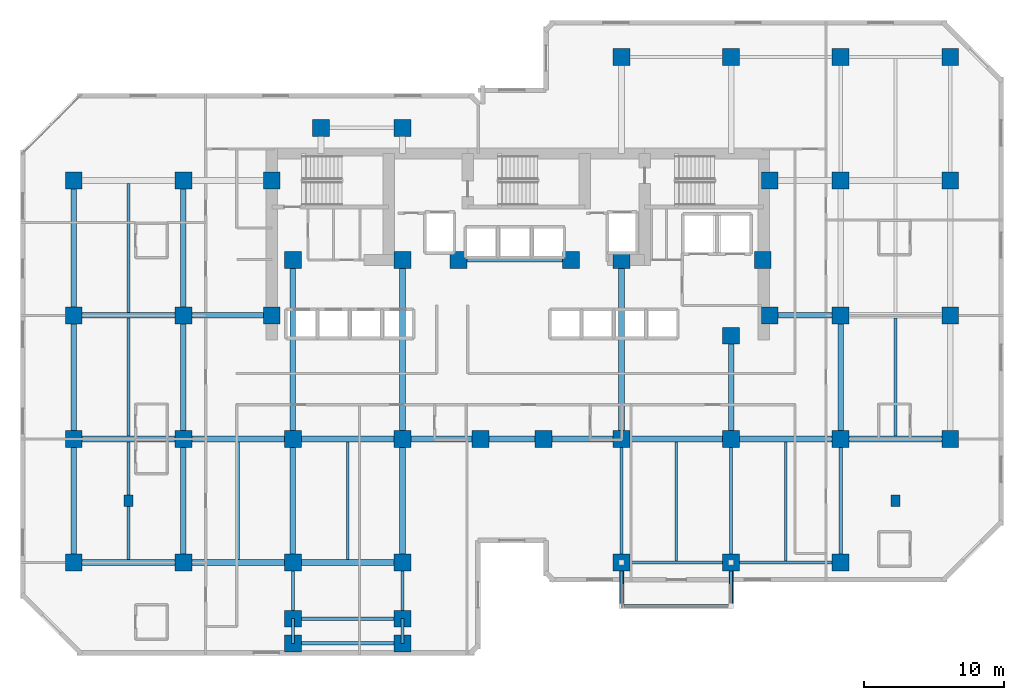
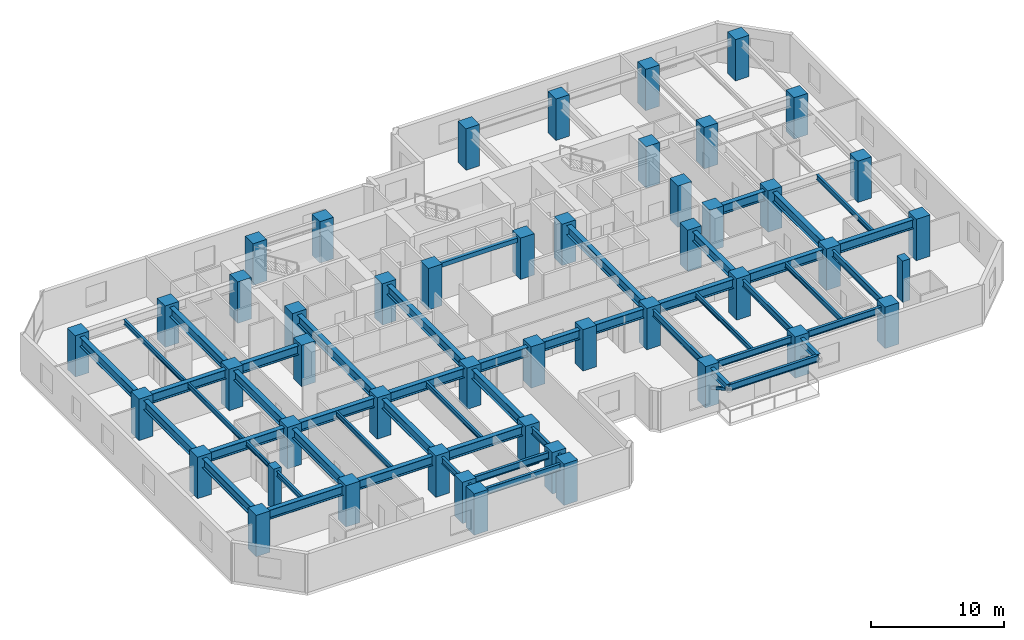
# One storey, part 1 of 11: 51 beams, 48 columns, 2 members.
"""IFC4 building model written with IfcOpenShell, lengths in metres."""

from ifc_helpers import new_model, si_unit, direction, frame, origin, origin_2d, place, context, subcontext, project, spatial, rectangle, hollow_rectangle, i_section, extrude, material, material_profile, profile_set, type_object, element, save


model = new_model("IFC4")

# Units and contexts
model_context = context("Model", 3, precision=1e-05, world=origin(), true_north=direction((0.0, 1.0)))
body_context = subcontext(model_context, "Body", "Model", "MODEL_VIEW")
ifc_project = project(units=[si_unit("LENGTHUNIT", "METRE"), si_unit("AREAUNIT", "SQUARE_METRE"), si_unit("VOLUMEUNIT", "CUBIC_METRE"), si_unit("PLANEANGLEUNIT", "RADIAN"), si_unit("MASSUNIT", "GRAM", prefix="KILO")], contexts=[model_context])

# Site, building, storey
site_placement = place(None, origin())
site = spatial("IfcSite", under=ifc_project, at=site_placement, CompositionType="ELEMENT")
building_placement = place(site_placement, origin())
building = spatial("IfcBuilding", under=site, at=building_placement, Name="Kestravale Grand Hotel", CompositionType="ELEMENT")
storey_placement = place(building_placement, frame((0.0, 0.0, 107.0)))
storey = spatial("IfcBuildingStorey", under=building, at=storey_placement, Name="L26", CompositionType="ELEMENT", Elevation=107.0)

# Columns
ifc_material_1 = material(Name="Precast concrete f'c 45 MPa", Category="concrete")
ifc_material_profile_1 = material_profile(ifc_material_1, rectangle(XDim=0.64990234375, YDim=0.85009765625, at=origin_2d()))
ifc_profile_set_1 = profile_set([ifc_material_profile_1], Name="Precast concrete f'c 45 MPa")
column_type_1 = type_object("IfcColumnType", Name="C-Z1-PIL850", PredefinedType="PILASTER", material=ifc_profile_set_1)
for number, where, z_axis, x_axis, name in (
    (1, (11.699951171875, 15.60009765625, 0.0), (0.0, 0.0, 1.0), (1.0, 0.0, 0.0), "L26 Art Deco fluted pilaster P1"),
    (2, (66.300048828125, 15.60009765625, 0.0), (0.0, 0.0, 1.0), (1.0, 0.0, 0.0), "L26 Art Deco fluted pilaster P2"),
):
    element("IfcColumn", number, at=place(storey_placement, frame(where, z_axis=z_axis, x_axis=x_axis)), inside=storey, type_object=column_type_1, Name=name, PredefinedType="PILASTER", context=body_context, shape_type="SweptSolid", body=[
        extrude(rectangle(XDim=0.64990234375, YDim=0.85009765625, at=origin_2d()), origin(), (0.0, 0.0, 1.0), 3.800048828125),
    ])
ifc_material_2 = material(Name="Concrete f'c 60 MPa", Category="concrete")
ifc_material_profile_2 = material_profile(ifc_material_2, rectangle(XDim=1.199951171875, YDim=1.199951171875, at=origin_2d()))
ifc_profile_set_2 = profile_set([ifc_material_profile_2], Name="Concrete f'c 60 MPa")
column_type_2 = type_object("IfcColumnType", Name="C-Z2-1200", PredefinedType="COLUMN", material=ifc_profile_set_2)
for number, where, z_axis, x_axis, name in (
    (3, (7.800048828125, 11.199951171875, 0.0), (0.0, 0.0, 1.0), (1.0, 0.0, 0.0), "L26 column 2-C"),
    (4, (7.800048828125, 20.0, 0.0), (0.0, 0.0, 1.0), (1.0, 0.0, 0.0), "L26 column 2-D"),
    (5, (7.800048828125, 28.800048828125, 0.0), (0.0, 0.0, 1.0), (1.0, 0.0, 0.0), "L26 column 2-E"),
    (6, (7.800048828125, 38.39990234375, 0.0), (0.0, 0.0, 1.0), (1.0, 0.0, 0.0), "L26 column 2-F"),
    (7, (15.60009765625, 11.199951171875, 0.0), (0.0, 0.0, 1.0), (1.0, 0.0, 0.0), "L26 column 3-C"),
    (8, (15.60009765625, 20.0, 0.0), (0.0, 0.0, 1.0), (1.0, 0.0, 0.0), "L26 column 3-D"),
    (9, (15.60009765625, 28.800048828125, 0.0), (0.0, 0.0, 1.0), (1.0, 0.0, 0.0), "L26 column 3-E"),
    (10, (15.60009765625, 38.39990234375, 0.0), (0.0, 0.0, 1.0), (1.0, 0.0, 0.0), "L26 column 3-F"),
    (11, (23.39990234375, 11.199951171875, 0.0), (0.0, 0.0, 1.0), (1.0, 0.0, 0.0), "L26 column 4-C"),
    (12, (23.39990234375, 20.0, 0.0), (0.0, 0.0, 1.0), (1.0, 0.0, 0.0), "L26 column 4-D"),
    (13, (31.199951171875, 11.199951171875, 0.0), (0.0, 0.0, 1.0), (1.0, 0.0, 0.0), "L26 column 5-C"),
    (14, (31.199951171875, 20.0, 0.0), (0.0, 0.0, 1.0), (1.0, 0.0, 0.0), "L26 column 5-D"),
    (15, (36.75, 20.0, 0.0), (0.0, 0.0, 1.0), (1.0, 0.0, 0.0), "L26 column 6-D"),
    (16, (41.25, 20.0, 0.0), (0.0, 0.0, 1.0), (1.0, 0.0, 0.0), "L26 column 7-D"),
    (17, (46.800048828125, 11.199951171875, 0.0), (0.0, 0.0, 1.0), (1.0, 0.0, 0.0), "L26 column 8-C"),
    (18, (46.800048828125, 20.0, 0.0), (0.0, 0.0, 1.0), (1.0, 0.0, 0.0), "L26 column 8-D"),
    (19, (46.800048828125, 47.199951171875, 0.0), (0.0, 0.0, 1.0), (1.0, 0.0, 0.0), "L26 column 8-G"),
    (20, (54.60009765625, 11.199951171875, 0.0), (0.0, 0.0, 1.0), (1.0, 0.0, 0.0), "L26 column 9-C"),
    (21, (54.60009765625, 20.0, 0.0), (0.0, 0.0, 1.0), (1.0, 0.0, 0.0), "L26 column 9-D"),
    (22, (54.60009765625, 47.199951171875, 0.0), (0.0, 0.0, 1.0), (1.0, 0.0, 0.0), "L26 column 9-G"),
    (23, (62.39990234375, 11.199951171875, 0.0), (0.0, 0.0, 1.0), (1.0, 0.0, 0.0), "L26 column 10-C"),
    (24, (62.39990234375, 20.0, 0.0), (0.0, 0.0, 1.0), (1.0, 0.0, 0.0), "L26 column 10-D"),
    (25, (62.39990234375, 28.800048828125, 0.0), (0.0, 0.0, 1.0), (1.0, 0.0, 0.0), "L26 column 10-E"),
    (26, (62.39990234375, 38.39990234375, 0.0), (0.0, 0.0, 1.0), (1.0, 0.0, 0.0), "L26 column 10-F"),
    (27, (62.39990234375, 47.199951171875, 0.0), (0.0, 0.0, 1.0), (1.0, 0.0, 0.0), "L26 column 10-G"),
    (28, (70.199951171875, 20.0, 0.0), (0.0, 0.0, 1.0), (1.0, 0.0, 0.0), "L26 column 11-D"),
    (29, (70.199951171875, 28.800048828125, 0.0), (0.0, 0.0, 1.0), (1.0, 0.0, 0.0), "L26 column 11-E"),
    (30, (70.199951171875, 38.39990234375, 0.0), (0.0, 0.0, 1.0), (1.0, 0.0, 0.0), "L26 column 11-F"),
    (31, (70.199951171875, 47.199951171875, 0.0), (0.0, 0.0, 1.0), (1.0, 0.0, 0.0), "L26 column 11-G"),
    (32, (21.89990234375, 28.800048828125, 0.0), (0.0, 0.0, 1.0), (1.0, 0.0, 0.0), "L26 column CW-E"),
    (33, (21.89990234375, 38.39990234375, 0.0), (0.0, 0.0, 1.0), (1.0, 0.0, 0.0), "L26 column CW-F"),
    (34, (57.35009765625, 28.800048828125, 0.0), (0.0, 0.0, 1.0), (1.0, 0.0, 0.0), "L26 column CE-E"),
    (35, (57.35009765625, 38.39990234375, 0.0), (0.0, 0.0, 1.0), (1.0, 0.0, 0.0), "L26 column CE-F"),
    (36, (23.39990234375, 32.75, 0.0), (0.0, 0.0, 1.0), (1.0, 0.0, 0.0), "L26 column 4-CS"),
    (37, (31.199951171875, 32.75, 0.0), (0.0, 0.0, 1.0), (1.0, 0.0, 0.0), "L26 column 5-CS"),
    (38, (35.199951171875, 32.75, 0.0), (0.0, 0.0, 1.0), (1.0, 0.0, 0.0), "L26 column 6C-CS"),
    (39, (43.199951171875, 32.75, 0.0), (0.0, 0.0, 1.0), (1.0, 0.0, 0.0), "L26 column 7C-CS"),
    (40, (46.800048828125, 32.75, 0.0), (0.0, 0.0, 1.0), (1.0, 0.0, 0.0), "L26 column 8-CS"),
    (41, (54.60009765625, 27.35009765625, 0.0), (0.0, 0.0, 1.0), (1.0, 0.0, 0.0), "L26 column 9-CS"),
    (42, (56.85009765625, 32.75, 0.0), (0.0, 0.0, 1.0), (1.0, 0.0, 0.0), "L26 column 9C-CS"),
    (43, (23.39990234375, 7.199951171875, 0.0), (0.0, 0.0, 1.0), (1.0, 0.0, 0.0), "L26 column 4-BS"),
    (44, (31.199951171875, 7.199951171875, 0.0), (0.0, 0.0, 1.0), (1.0, 0.0, 0.0), "L26 column 5-BS"),
    (45, (25.39990234375, 42.14990234375, 0.0), (0.0, 0.0, 1.0), (1.0, 0.0, 0.0), "L26 column 4-FN"),
    (46, (31.199951171875, 42.14990234375, 0.0), (0.0, 0.0, 1.0), (1.0, 0.0, 0.0), "L26 column 5-FN"),
    (47, (23.39990234375, 5.449951171875, 0.0), (0.0, 0.0, 1.0), (1.0, 0.0, 0.0), "L26 column 4-B1S"),
    (48, (31.199951171875, 5.449951171875, 0.0), (0.0, 0.0, 1.0), (1.0, 0.0, 0.0), "L26 column 5-B1S"),
):
    element("IfcColumn", number, at=place(storey_placement, frame(where, z_axis=z_axis, x_axis=x_axis)), inside=storey, type_object=column_type_2, Name=name, PredefinedType="COLUMN", context=body_context, shape_type="SweptSolid", body=[
        extrude(rectangle(XDim=1.199951171875, YDim=1.199951171875, at=origin_2d()), origin(), (0.0, 0.0, 1.0), 3.800048828125),
    ])

# Beams
ifc_material_3 = material(Name="Steel ASTM A992 Grade 50", Category="steel")
ifc_material_profile_3 = material_profile(ifc_material_3, i_section(OverallWidth=0.19091796875, OverallDepth=0.45703125, WebThickness=0.009033203125, FlangeThickness=0.014404296875, FilletRadius=0.015380859375, at=origin_2d()))
ifc_profile_set_3 = profile_set([ifc_material_profile_3], Name="Steel ASTM A992 Grade 50")
beam_type_1 = type_object("IfcBeamType", Name="B-FLR-JST18", PredefinedType="JOIST", material=ifc_profile_set_3)
for number, where, z_axis, x_axis, name in (
    (49, (11.699951171875, 11.400390625, 3.3115234375), (0.0, 1.0, 0.0), (-1.0, 0.0, 0.0), "L26 floor joist 2-3/C-D #1"),
    (50, (11.699951171875, 20.200439453125, 3.3115234375), (0.0, 1.0, 0.0), (-1.0, 0.0, 0.0), "L26 floor joist 2-3/D-E #1"),
):
    element("IfcBeam", number, at=place(storey_placement, frame(where, z_axis=z_axis, x_axis=x_axis)), inside=storey, type_object=beam_type_1, Name=name, PredefinedType="JOIST", context=body_context, shape_type="SweptSolid", body=[
        extrude(i_section(OverallWidth=0.19091796875, OverallDepth=0.45703125, WebThickness=0.009033203125, FlangeThickness=0.014404296875, FilletRadius=0.015380859375, at=origin_2d()), origin(), (0.0, 0.0, 1.0), 8.399169921875),
    ])
beam_1_placement = place(storey_placement, frame((11.699951171875, 29.00048828125, 3.3115234375), z_axis=(0.0, 1.0, 0.0), x_axis=(-1.0, 0.0, 0.0)))
element("IfcBeam", 51, at=beam_1_placement, inside=storey, type_object=beam_type_1, Name="L26 floor joist 2-3/E-F #1", PredefinedType="JOIST", context=body_context, shape_type="SweptSolid", body=[
    extrude(i_section(OverallWidth=0.19091796875, OverallDepth=0.45703125, WebThickness=0.009033203125, FlangeThickness=0.014404296875, FilletRadius=0.015380859375, at=origin_2d()), origin(), (0.0, 0.0, 1.0), 9.198974609375),
])
for number, where, z_axis, x_axis, name in (
    (52, (19.5, 11.400390625, 3.3115234375), (0.0, 1.0, 0.0), (-1.0, 0.0, 0.0), "L26 floor joist 3-4/C-D #1"),
    (53, (27.300048828125, 11.400390625, 3.3115234375), (0.0, 1.0, 0.0), (-1.0, 0.0, 0.0), "L26 floor joist 4-5/C-D #1"),
):
    element("IfcBeam", number, at=place(storey_placement, frame(where, z_axis=z_axis, x_axis=x_axis)), inside=storey, type_object=beam_type_1, Name=name, PredefinedType="JOIST", context=body_context, shape_type="SweptSolid", body=[
        extrude(i_section(OverallWidth=0.19091796875, OverallDepth=0.45703125, WebThickness=0.009033203125, FlangeThickness=0.014404296875, FilletRadius=0.015380859375, at=origin_2d()), origin(), (0.0, 0.0, 1.0), 8.399169921875),
    ])
for number, where, z_axis, x_axis, name in (
    (54, (50.699951171875, 11.314453125, 3.3115234375), (0.0, 1.0, 0.0), (-1.0, 0.0, 0.0), "L26 floor joist 8-9/C-D #1"),
    (55, (58.5, 11.314453125, 3.3115234375), (0.0, 1.0, 0.0), (-1.0, 0.0, 0.0), "L26 floor joist 9-10/C-D #1"),
):
    element("IfcBeam", number, at=place(storey_placement, frame(where, z_axis=z_axis, x_axis=x_axis)), inside=storey, type_object=beam_type_1, Name=name, PredefinedType="JOIST", context=body_context, shape_type="SweptSolid", body=[
        extrude(i_section(OverallWidth=0.19091796875, OverallDepth=0.45703125, WebThickness=0.009033203125, FlangeThickness=0.014404296875, FilletRadius=0.015380859375, at=origin_2d()), origin(), (0.0, 0.0, 1.0), 8.485107421875),
    ])
beam_2_placement = place(storey_placement, frame((66.300048828125, 20.200439453125, 3.3115234375), z_axis=(0.0, 1.0, 0.0), x_axis=(-1.0, 0.0, 0.0)))
element("IfcBeam", 56, at=beam_2_placement, inside=storey, type_object=beam_type_1, Name="L26 floor joist 10-11/D-E #1", PredefinedType="JOIST", context=body_context, shape_type="SweptSolid", body=[
    extrude(i_section(OverallWidth=0.19091796875, OverallDepth=0.45703125, WebThickness=0.009033203125, FlangeThickness=0.014404296875, FilletRadius=0.015380859375, at=origin_2d()), origin(), (0.0, 0.0, 1.0), 8.399169921875),
])
ifc_material_4 = material(Name="Concrete f'c 45 MPa", Category="concrete")
ifc_material_profile_4 = material_profile(ifc_material_4, rectangle(XDim=0.300048828125, YDim=0.39990234375, at=origin_2d()))
ifc_profile_set_4 = profile_set([ifc_material_profile_4], Name="Concrete f'c 45 MPa")
beam_type_2 = type_object("IfcBeamType", Name="B-FLR-LNT400", PredefinedType="LINTEL", material=ifc_profile_set_4)
beam_3_placement = place(storey_placement, frame((35.199951171875, 32.75, 3.340087890625), z_axis=(1.0, 0.0, 0.0), x_axis=(0.0, 1.0, 0.0)))
element("IfcBeam", 57, at=beam_3_placement, inside=storey, type_object=beam_type_2, Name="L26 core portal header lintel", PredefinedType="LINTEL", context=body_context, shape_type="SweptSolid", body=[
    extrude(rectangle(XDim=0.300048828125, YDim=0.39990234375, at=origin_2d()), origin(), (0.0, 0.0, 1.0), 8.0),
])
ifc_material_5 = material(Name="Steel ASTM A992 Grade 50", Category="steel")
ifc_material_profile_5 = material_profile(ifc_material_5, i_section(OverallWidth=0.324951171875, OverallDepth=0.612060546875, WebThickness=0.0126953125, FlangeThickness=0.01904296875, FilletRadius=0.018798828125, at=origin_2d()))
ifc_profile_set_5 = profile_set([ifc_material_profile_5], Name="Steel ASTM A992 Grade 50")
beam_type_3 = type_object("IfcBeamType", Name="B-FLR-W24A", PredefinedType="SPANDREL", material=ifc_profile_set_5)
for number, where, z_axis, x_axis, name in (
    (58, (46.800048828125, 11.199951171875, 3.22412109375), (0.0, -1.0, 0.0), (1.0, 0.0, 0.0), "L27 terrace cantilever beam 1"),
    (59, (54.60009765625, 11.199951171875, 3.22412109375), (0.0, -1.0, 0.0), (1.0, 0.0, 0.0), "L27 terrace cantilever beam 2"),
):
    element("IfcBeam", number, at=place(storey_placement, frame(where, z_axis=z_axis, x_axis=x_axis)), inside=storey, type_object=beam_type_3, Name=name, PredefinedType="SPANDREL", context=body_context, shape_type="SweptSolid", body=[
        extrude(i_section(OverallWidth=0.324951171875, OverallDepth=0.612060546875, WebThickness=0.0126953125, FlangeThickness=0.01904296875, FilletRadius=0.018798828125, at=origin_2d()), origin(), (0.0, 0.0, 1.0), 3.099853515625),
    ])
ifc_material_6 = material(Name="Steel ASTM A992 Grade 50", Category="steel")
ifc_material_profile_6 = material_profile(ifc_material_6, i_section(OverallWidth=0.22900390625, OverallDepth=0.612060546875, WebThickness=0.011962890625, FlangeThickness=0.01953125, FilletRadius=0.019287109375, at=origin_2d()))
ifc_profile_set_6 = profile_set([ifc_material_profile_6], Name="Steel ASTM A992 Grade 50")
beam_type_4 = type_object("IfcBeamType", Name="B-FLR-W24B", PredefinedType="SPANDREL", material=ifc_profile_set_6)
beam_4_placement = place(storey_placement, frame((46.800048828125, 11.199951171875, 3.23388671875), z_axis=(1.0, 0.0, 0.0), x_axis=(0.0, 1.0, 0.0)))
element("IfcBeam", 60, at=beam_4_placement, inside=storey, type_object=beam_type_4, Name="L26 spandrel C:8-9", PredefinedType="SPANDREL", context=body_context, shape_type="SweptSolid", body=[
    extrude(i_section(OverallWidth=0.22900390625, OverallDepth=0.612060546875, WebThickness=0.011962890625, FlangeThickness=0.01953125, FilletRadius=0.019287109375, at=origin_2d()), origin(), (0.0, 0.0, 1.0), 7.800048828125),
])
beam_5_placement = place(storey_placement, frame((54.60009765625, 11.199951171875, 3.23388671875), z_axis=(1.0, 0.0, 0.0), x_axis=(0.0, 1.0, 0.0)))
element("IfcBeam", 61, at=beam_5_placement, inside=storey, type_object=beam_type_4, Name="L26 spandrel C:9-10", PredefinedType="SPANDREL", context=body_context, shape_type="SweptSolid", body=[
    extrude(i_section(OverallWidth=0.22900390625, OverallDepth=0.612060546875, WebThickness=0.011962890625, FlangeThickness=0.01953125, FilletRadius=0.019287109375, at=origin_2d()), origin(), (0.0, 0.0, 1.0), 7.7998046875),
])
for number, where, z_axis, x_axis, name in (
    (62, (23.39990234375, 5.449951171875, 3.23388671875), (1.0, 0.0, 0.0), (0.0, 1.0, 0.0), "L26 perimeter tie spandrel B1S:4-5"),
    (63, (23.39990234375, 7.199951171875, 3.23388671875), (1.0, 0.0, 0.0), (0.0, 1.0, 0.0), "L26 perimeter tie spandrel BS:4-5"),
):
    element("IfcBeam", number, at=place(storey_placement, frame(where, z_axis=z_axis, x_axis=x_axis)), inside=storey, type_object=beam_type_4, Name=name, PredefinedType="SPANDREL", context=body_context, shape_type="SweptSolid", body=[
        extrude(i_section(OverallWidth=0.22900390625, OverallDepth=0.612060546875, WebThickness=0.011962890625, FlangeThickness=0.01953125, FilletRadius=0.019287109375, at=origin_2d()), origin(), (0.0, 0.0, 1.0), 7.800048828125),
    ])
beam_6_placement = place(storey_placement, frame((23.39990234375, 5.449951171875, 3.23388671875), z_axis=(0.0, 1.0, 0.0), x_axis=(-1.0, 0.0, 0.0)))
element("IfcBeam", 64, at=beam_6_placement, inside=storey, type_object=beam_type_4, Name="L26 spandrel 4:B1S-BS", PredefinedType="SPANDREL", context=body_context, shape_type="SweptSolid", body=[
    extrude(i_section(OverallWidth=0.22900390625, OverallDepth=0.612060546875, WebThickness=0.011962890625, FlangeThickness=0.01953125, FilletRadius=0.019287109375, at=origin_2d()), origin(), (0.0, 0.0, 1.0), 1.75),
])
beam_7_placement = place(storey_placement, frame((23.39990234375, 7.199951171875, 3.23388671875), z_axis=(0.0, 1.0, 0.0), x_axis=(-1.0, 0.0, 0.0)))
element("IfcBeam", 65, at=beam_7_placement, inside=storey, type_object=beam_type_4, Name="L26 spandrel 4:BS-C", PredefinedType="SPANDREL", context=body_context, shape_type="SweptSolid", body=[
    extrude(i_section(OverallWidth=0.22900390625, OverallDepth=0.612060546875, WebThickness=0.011962890625, FlangeThickness=0.01953125, FilletRadius=0.019287109375, at=origin_2d()), origin(), (0.0, 0.0, 1.0), 4.0),
])
beam_8_placement = place(storey_placement, frame((31.199951171875, 5.449951171875, 3.23388671875), z_axis=(0.0, 1.0, 0.0), x_axis=(-1.0, 0.0, 0.0)))
element("IfcBeam", 66, at=beam_8_placement, inside=storey, type_object=beam_type_4, Name="L26 spandrel 5:B1S-BS", PredefinedType="SPANDREL", context=body_context, shape_type="SweptSolid", body=[
    extrude(i_section(OverallWidth=0.22900390625, OverallDepth=0.612060546875, WebThickness=0.011962890625, FlangeThickness=0.01953125, FilletRadius=0.019287109375, at=origin_2d()), origin(), (0.0, 0.0, 1.0), 1.75),
])
beam_9_placement = place(storey_placement, frame((31.199951171875, 7.199951171875, 3.23388671875), z_axis=(0.0, 1.0, 0.0), x_axis=(-1.0, 0.0, 0.0)))
element("IfcBeam", 67, at=beam_9_placement, inside=storey, type_object=beam_type_4, Name="L26 spandrel 5:BS-C", PredefinedType="SPANDREL", context=body_context, shape_type="SweptSolid", body=[
    extrude(i_section(OverallWidth=0.22900390625, OverallDepth=0.612060546875, WebThickness=0.011962890625, FlangeThickness=0.01953125, FilletRadius=0.019287109375, at=origin_2d()), origin(), (0.0, 0.0, 1.0), 4.0),
])
for number, where, z_axis, x_axis, name in (
    (68, (46.800048828125, 11.199951171875, 3.23388671875), (0.0, 1.0, 0.0), (-1.0, 0.0, 0.0), "L26 spandrel 8:C-D"),
    (69, (54.60009765625, 11.199951171875, 3.23388671875), (0.0, 1.0, 0.0), (-1.0, 0.0, 0.0), "L26 spandrel 9:C-D"),
    (70, (62.39990234375, 11.199951171875, 3.23388671875), (0.0, 1.0, 0.0), (-1.0, 0.0, 0.0), "L26 spandrel 10:C-D"),
):
    element("IfcBeam", number, at=place(storey_placement, frame(where, z_axis=z_axis, x_axis=x_axis)), inside=storey, type_object=beam_type_4, Name=name, PredefinedType="SPANDREL", context=body_context, shape_type="SweptSolid", body=[
        extrude(i_section(OverallWidth=0.22900390625, OverallDepth=0.612060546875, WebThickness=0.011962890625, FlangeThickness=0.01953125, FilletRadius=0.019287109375, at=origin_2d()), origin(), (0.0, 0.0, 1.0), 8.800048828125),
    ])
beam_10_placement = place(storey_placement, frame((46.800048828125, 8.10009765625, 3.22412109375), z_axis=(1.0, 0.0, 0.0), x_axis=(0.0, 1.0, 0.0)))
element("IfcBeam", 71, at=beam_10_placement, inside=storey, type_object=beam_type_4, Name="L27 terrace edge spandrel", PredefinedType="SPANDREL", context=body_context, shape_type="SweptSolid", body=[
    extrude(i_section(OverallWidth=0.22900390625, OverallDepth=0.612060546875, WebThickness=0.011962890625, FlangeThickness=0.01953125, FilletRadius=0.019287109375, at=origin_2d()), origin(), (0.0, 0.0, 1.0), 7.800048828125),
])
ifc_material_7 = material(Name="Steel ASTM A992 Grade 50", Category="steel")
ifc_material_profile_7 = material_profile(ifc_material_7, i_section(OverallWidth=0.40087890625, OverallDepth=0.861083984375, WebThickness=0.019775390625, FlangeThickness=0.032470703125, FilletRadius=0.0234375, at=origin_2d()))
ifc_profile_set_7 = profile_set([ifc_material_profile_7], Name="Steel ASTM A992 Grade 50")
beam_type_5 = type_object("IfcBeamType", Name="B-GRD-W33", PredefinedType="BEAM", material=ifc_profile_set_7)
beam_11_placement = place(storey_placement, frame((7.800048828125, 11.199951171875, 3.109619140625), z_axis=(1.0, 0.0, 0.0), x_axis=(0.0, 1.0, 0.0)))
element("IfcBeam", 72, at=beam_11_placement, inside=storey, type_object=beam_type_5, Name="L26 girder C:2-3", PredefinedType="BEAM", context=body_context, shape_type="SweptSolid", body=[
    extrude(i_section(OverallWidth=0.40087890625, OverallDepth=0.861083984375, WebThickness=0.019775390625, FlangeThickness=0.032470703125, FilletRadius=0.0234375, at=origin_2d()), origin(), (0.0, 0.0, 1.0), 7.800048828125),
])
beam_12_placement = place(storey_placement, frame((15.60009765625, 11.199951171875, 3.109619140625), z_axis=(1.0, 0.0, 0.0), x_axis=(0.0, 1.0, 0.0)))
element("IfcBeam", 73, at=beam_12_placement, inside=storey, type_object=beam_type_5, Name="L26 girder C:3-4", PredefinedType="BEAM", context=body_context, shape_type="SweptSolid", body=[
    extrude(i_section(OverallWidth=0.40087890625, OverallDepth=0.861083984375, WebThickness=0.019775390625, FlangeThickness=0.032470703125, FilletRadius=0.0234375, at=origin_2d()), origin(), (0.0, 0.0, 1.0), 7.7998046875),
])
for number, where, z_axis, x_axis, name in (
    (74, (23.39990234375, 11.199951171875, 3.109619140625), (1.0, 0.0, 0.0), (0.0, 1.0, 0.0), "L26 girder C:4-5"),
    (75, (7.800048828125, 20.0, 3.109619140625), (1.0, 0.0, 0.0), (0.0, 1.0, 0.0), "L26 girder D:2-3"),
):
    element("IfcBeam", number, at=place(storey_placement, frame(where, z_axis=z_axis, x_axis=x_axis)), inside=storey, type_object=beam_type_5, Name=name, PredefinedType="BEAM", context=body_context, shape_type="SweptSolid", body=[
        extrude(i_section(OverallWidth=0.40087890625, OverallDepth=0.861083984375, WebThickness=0.019775390625, FlangeThickness=0.032470703125, FilletRadius=0.0234375, at=origin_2d()), origin(), (0.0, 0.0, 1.0), 7.800048828125),
    ])
beam_13_placement = place(storey_placement, frame((15.60009765625, 20.0, 3.109619140625), z_axis=(1.0, 0.0, 0.0), x_axis=(0.0, 1.0, 0.0)))
element("IfcBeam", 76, at=beam_13_placement, inside=storey, type_object=beam_type_5, Name="L26 girder D:3-4", PredefinedType="BEAM", context=body_context, shape_type="SweptSolid", body=[
    extrude(i_section(OverallWidth=0.40087890625, OverallDepth=0.861083984375, WebThickness=0.019775390625, FlangeThickness=0.032470703125, FilletRadius=0.0234375, at=origin_2d()), origin(), (0.0, 0.0, 1.0), 7.7998046875),
])
beam_14_placement = place(storey_placement, frame((23.39990234375, 20.0, 3.109619140625), z_axis=(1.0, 0.0, 0.0), x_axis=(0.0, 1.0, 0.0)))
element("IfcBeam", 77, at=beam_14_placement, inside=storey, type_object=beam_type_5, Name="L26 girder D:4-5", PredefinedType="BEAM", context=body_context, shape_type="SweptSolid", body=[
    extrude(i_section(OverallWidth=0.40087890625, OverallDepth=0.861083984375, WebThickness=0.019775390625, FlangeThickness=0.032470703125, FilletRadius=0.0234375, at=origin_2d()), origin(), (0.0, 0.0, 1.0), 7.800048828125),
])
beam_15_placement = place(storey_placement, frame((31.199951171875, 20.0, 3.109619140625), z_axis=(1.0, 0.0, 0.0), x_axis=(0.0, 1.0, 0.0)))
element("IfcBeam", 78, at=beam_15_placement, inside=storey, type_object=beam_type_5, Name="L26 girder D:5-6", PredefinedType="BEAM", context=body_context, shape_type="SweptSolid", body=[
    extrude(i_section(OverallWidth=0.40087890625, OverallDepth=0.861083984375, WebThickness=0.019775390625, FlangeThickness=0.032470703125, FilletRadius=0.0234375, at=origin_2d()), origin(), (0.0, 0.0, 1.0), 5.550048828125),
])
beam_16_placement = place(storey_placement, frame((36.75, 20.0, 3.109619140625), z_axis=(1.0, 0.0, 0.0), x_axis=(0.0, 1.0, 0.0)))
element("IfcBeam", 79, at=beam_16_placement, inside=storey, type_object=beam_type_5, Name="L26 girder D:6-7", PredefinedType="BEAM", context=body_context, shape_type="SweptSolid", body=[
    extrude(i_section(OverallWidth=0.40087890625, OverallDepth=0.861083984375, WebThickness=0.019775390625, FlangeThickness=0.032470703125, FilletRadius=0.0234375, at=origin_2d()), origin(), (0.0, 0.0, 1.0), 4.5),
])
beam_17_placement = place(storey_placement, frame((41.25, 20.0, 3.109619140625), z_axis=(1.0, 0.0, 0.0), x_axis=(0.0, 1.0, 0.0)))
element("IfcBeam", 80, at=beam_17_placement, inside=storey, type_object=beam_type_5, Name="L26 girder D:7-8", PredefinedType="BEAM", context=body_context, shape_type="SweptSolid", body=[
    extrude(i_section(OverallWidth=0.40087890625, OverallDepth=0.861083984375, WebThickness=0.019775390625, FlangeThickness=0.032470703125, FilletRadius=0.0234375, at=origin_2d()), origin(), (0.0, 0.0, 1.0), 5.550048828125),
])
beam_18_placement = place(storey_placement, frame((46.800048828125, 20.0, 3.109619140625), z_axis=(1.0, 0.0, 0.0), x_axis=(0.0, 1.0, 0.0)))
element("IfcBeam", 81, at=beam_18_placement, inside=storey, type_object=beam_type_5, Name="L26 girder D:8-9", PredefinedType="BEAM", context=body_context, shape_type="SweptSolid", body=[
    extrude(i_section(OverallWidth=0.40087890625, OverallDepth=0.861083984375, WebThickness=0.019775390625, FlangeThickness=0.032470703125, FilletRadius=0.0234375, at=origin_2d()), origin(), (0.0, 0.0, 1.0), 7.800048828125),
])
beam_19_placement = place(storey_placement, frame((54.60009765625, 20.0, 3.109619140625), z_axis=(1.0, 0.0, 0.0), x_axis=(0.0, 1.0, 0.0)))
element("IfcBeam", 82, at=beam_19_placement, inside=storey, type_object=beam_type_5, Name="L26 girder D:9-10", PredefinedType="BEAM", context=body_context, shape_type="SweptSolid", body=[
    extrude(i_section(OverallWidth=0.40087890625, OverallDepth=0.861083984375, WebThickness=0.019775390625, FlangeThickness=0.032470703125, FilletRadius=0.0234375, at=origin_2d()), origin(), (0.0, 0.0, 1.0), 7.7998046875),
])
for number, where, z_axis, x_axis, name in (
    (83, (62.39990234375, 20.0, 3.109619140625), (1.0, 0.0, 0.0), (0.0, 1.0, 0.0), "L26 girder D:10-11"),
    (84, (7.800048828125, 28.800048828125, 3.109619140625), (1.0, 0.0, 0.0), (0.0, 1.0, 0.0), "L26 girder E:2-3"),
):
    element("IfcBeam", number, at=place(storey_placement, frame(where, z_axis=z_axis, x_axis=x_axis)), inside=storey, type_object=beam_type_5, Name=name, PredefinedType="BEAM", context=body_context, shape_type="SweptSolid", body=[
        extrude(i_section(OverallWidth=0.40087890625, OverallDepth=0.861083984375, WebThickness=0.019775390625, FlangeThickness=0.032470703125, FilletRadius=0.0234375, at=origin_2d()), origin(), (0.0, 0.0, 1.0), 7.800048828125),
    ])
beam_20_placement = place(storey_placement, frame((15.60009765625, 28.800048828125, 3.109619140625), z_axis=(1.0, 0.0, 0.0), x_axis=(0.0, 1.0, 0.0)))
element("IfcBeam", 85, at=beam_20_placement, inside=storey, type_object=beam_type_5, Name="L26 girder E:3-CW", PredefinedType="BEAM", context=body_context, shape_type="SweptSolid", body=[
    extrude(i_section(OverallWidth=0.40087890625, OverallDepth=0.861083984375, WebThickness=0.019775390625, FlangeThickness=0.032470703125, FilletRadius=0.0234375, at=origin_2d()), origin(), (0.0, 0.0, 1.0), 6.2998046875),
])
beam_21_placement = place(storey_placement, frame((57.35009765625, 28.800048828125, 3.109619140625), z_axis=(1.0, 0.0, 0.0), x_axis=(0.0, 1.0, 0.0)))
element("IfcBeam", 86, at=beam_21_placement, inside=storey, type_object=beam_type_5, Name="L26 girder E:CE-10", PredefinedType="BEAM", context=body_context, shape_type="SweptSolid", body=[
    extrude(i_section(OverallWidth=0.40087890625, OverallDepth=0.861083984375, WebThickness=0.019775390625, FlangeThickness=0.032470703125, FilletRadius=0.0234375, at=origin_2d()), origin(), (0.0, 0.0, 1.0), 5.0498046875),
])
for number, where, z_axis, x_axis, name in (
    (87, (7.800048828125, 11.199951171875, 3.109619140625), (0.0, 1.0, 0.0), (-1.0, 0.0, 0.0), "L26 girder 2:C-D"),
    (88, (7.800048828125, 20.0, 3.109619140625), (0.0, 1.0, 0.0), (-1.0, 0.0, 0.0), "L26 girder 2:D-E"),
):
    element("IfcBeam", number, at=place(storey_placement, frame(where, z_axis=z_axis, x_axis=x_axis)), inside=storey, type_object=beam_type_5, Name=name, PredefinedType="BEAM", context=body_context, shape_type="SweptSolid", body=[
        extrude(i_section(OverallWidth=0.40087890625, OverallDepth=0.861083984375, WebThickness=0.019775390625, FlangeThickness=0.032470703125, FilletRadius=0.0234375, at=origin_2d()), origin(), (0.0, 0.0, 1.0), 8.800048828125),
    ])
beam_22_placement = place(storey_placement, frame((7.800048828125, 28.800048828125, 3.109619140625), z_axis=(0.0, 1.0, 0.0), x_axis=(-1.0, 0.0, 0.0)))
element("IfcBeam", 89, at=beam_22_placement, inside=storey, type_object=beam_type_5, Name="L26 girder 2:E-F", PredefinedType="BEAM", context=body_context, shape_type="SweptSolid", body=[
    extrude(i_section(OverallWidth=0.40087890625, OverallDepth=0.861083984375, WebThickness=0.019775390625, FlangeThickness=0.032470703125, FilletRadius=0.0234375, at=origin_2d()), origin(), (0.0, 0.0, 1.0), 9.599853515625),
])
for number, where, z_axis, x_axis, name in (
    (90, (15.60009765625, 11.199951171875, 3.109619140625), (0.0, 1.0, 0.0), (-1.0, 0.0, 0.0), "L26 girder 3:C-D"),
    (91, (15.60009765625, 20.0, 3.109619140625), (0.0, 1.0, 0.0), (-1.0, 0.0, 0.0), "L26 girder 3:D-E"),
):
    element("IfcBeam", number, at=place(storey_placement, frame(where, z_axis=z_axis, x_axis=x_axis)), inside=storey, type_object=beam_type_5, Name=name, PredefinedType="BEAM", context=body_context, shape_type="SweptSolid", body=[
        extrude(i_section(OverallWidth=0.40087890625, OverallDepth=0.861083984375, WebThickness=0.019775390625, FlangeThickness=0.032470703125, FilletRadius=0.0234375, at=origin_2d()), origin(), (0.0, 0.0, 1.0), 8.800048828125),
    ])
beam_23_placement = place(storey_placement, frame((15.60009765625, 28.800048828125, 3.109619140625), z_axis=(0.0, 1.0, 0.0), x_axis=(-1.0, 0.0, 0.0)))
element("IfcBeam", 92, at=beam_23_placement, inside=storey, type_object=beam_type_5, Name="L26 girder 3:E-F", PredefinedType="BEAM", context=body_context, shape_type="SweptSolid", body=[
    extrude(i_section(OverallWidth=0.40087890625, OverallDepth=0.861083984375, WebThickness=0.019775390625, FlangeThickness=0.032470703125, FilletRadius=0.0234375, at=origin_2d()), origin(), (0.0, 0.0, 1.0), 9.599853515625),
])
beam_24_placement = place(storey_placement, frame((23.39990234375, 11.199951171875, 3.109619140625), z_axis=(0.0, 1.0, 0.0), x_axis=(-1.0, 0.0, 0.0)))
element("IfcBeam", 93, at=beam_24_placement, inside=storey, type_object=beam_type_5, Name="L26 girder 4:C-D", PredefinedType="BEAM", context=body_context, shape_type="SweptSolid", body=[
    extrude(i_section(OverallWidth=0.40087890625, OverallDepth=0.861083984375, WebThickness=0.019775390625, FlangeThickness=0.032470703125, FilletRadius=0.0234375, at=origin_2d()), origin(), (0.0, 0.0, 1.0), 8.800048828125),
])
beam_25_placement = place(storey_placement, frame((23.39990234375, 20.0, 3.109619140625), z_axis=(0.0, 1.0, 0.0), x_axis=(-1.0, 0.0, 0.0)))
element("IfcBeam", 94, at=beam_25_placement, inside=storey, type_object=beam_type_5, Name="L26 girder 4:D-CS", PredefinedType="BEAM", context=body_context, shape_type="SweptSolid", body=[
    extrude(i_section(OverallWidth=0.40087890625, OverallDepth=0.861083984375, WebThickness=0.019775390625, FlangeThickness=0.032470703125, FilletRadius=0.0234375, at=origin_2d()), origin(), (0.0, 0.0, 1.0), 12.75),
])
beam_26_placement = place(storey_placement, frame((31.199951171875, 11.199951171875, 3.109619140625), z_axis=(0.0, 1.0, 0.0), x_axis=(-1.0, 0.0, 0.0)))
element("IfcBeam", 95, at=beam_26_placement, inside=storey, type_object=beam_type_5, Name="L26 girder 5:C-D", PredefinedType="BEAM", context=body_context, shape_type="SweptSolid", body=[
    extrude(i_section(OverallWidth=0.40087890625, OverallDepth=0.861083984375, WebThickness=0.019775390625, FlangeThickness=0.032470703125, FilletRadius=0.0234375, at=origin_2d()), origin(), (0.0, 0.0, 1.0), 8.800048828125),
])
for number, where, z_axis, x_axis, name in (
    (96, (31.199951171875, 20.0, 3.109619140625), (0.0, 1.0, 0.0), (-1.0, 0.0, 0.0), "L26 girder 5:D-CS"),
    (97, (46.800048828125, 20.0, 3.109619140625), (0.0, 1.0, 0.0), (-1.0, 0.0, 0.0), "L26 girder 8:D-CS"),
):
    element("IfcBeam", number, at=place(storey_placement, frame(where, z_axis=z_axis, x_axis=x_axis)), inside=storey, type_object=beam_type_5, Name=name, PredefinedType="BEAM", context=body_context, shape_type="SweptSolid", body=[
        extrude(i_section(OverallWidth=0.40087890625, OverallDepth=0.861083984375, WebThickness=0.019775390625, FlangeThickness=0.032470703125, FilletRadius=0.0234375, at=origin_2d()), origin(), (0.0, 0.0, 1.0), 12.75),
    ])
beam_27_placement = place(storey_placement, frame((54.60009765625, 20.0, 3.109619140625), z_axis=(0.0, 1.0, 0.0), x_axis=(-1.0, 0.0, 0.0)))
element("IfcBeam", 98, at=beam_27_placement, inside=storey, type_object=beam_type_5, Name="L26 girder 9:D-CS", PredefinedType="BEAM", context=body_context, shape_type="SweptSolid", body=[
    extrude(i_section(OverallWidth=0.40087890625, OverallDepth=0.861083984375, WebThickness=0.019775390625, FlangeThickness=0.032470703125, FilletRadius=0.0234375, at=origin_2d()), origin(), (0.0, 0.0, 1.0), 7.35009765625),
])
beam_28_placement = place(storey_placement, frame((62.39990234375, 20.0, 3.109619140625), z_axis=(0.0, 1.0, 0.0), x_axis=(-1.0, 0.0, 0.0)))
element("IfcBeam", 99, at=beam_28_placement, inside=storey, type_object=beam_type_5, Name="L26 girder 10:D-E", PredefinedType="BEAM", context=body_context, shape_type="SweptSolid", body=[
    extrude(i_section(OverallWidth=0.40087890625, OverallDepth=0.861083984375, WebThickness=0.019775390625, FlangeThickness=0.032470703125, FilletRadius=0.0234375, at=origin_2d()), origin(), (0.0, 0.0, 1.0), 8.800048828125),
])

# Members
ifc_material_8 = material(Name="Steel ASTM A500 Grade C", Category="steel")
ifc_material_profile_8 = material_profile(ifc_material_8, hollow_rectangle(XDim=0.25, YDim=0.25, WallThickness=0.011962890625, InnerFilletRadius=0.011962890625, OuterFilletRadius=0.02392578125, at=origin_2d()))
ifc_profile_set_8 = profile_set([ifc_material_profile_8], Name="Steel ASTM A500 Grade C")
member_type = type_object("IfcMemberType", Name="M-BLT-STR250", PredefinedType="STRUT", material=ifc_profile_set_8)
for number, where, z_axis, x_axis, name in (
    (100, (46.800048828125, 11.199951171875, 1.3740234375), (0.0, -0.876808651978, 0.480839461583), (1.0, 0.0, 0.0), "L27 terrace knee-brace strut 1"),
    (101, (54.60009765625, 11.199951171875, 1.3740234375), (0.0, -0.876808651978, 0.480839461583), (1.0, 0.0, 0.0), "L27 terrace knee-brace strut 2"),
):
    element("IfcMember", number, at=place(storey_placement, frame(where, z_axis=z_axis, x_axis=x_axis)), inside=storey, type_object=member_type, Name=name, PredefinedType="STRUT", context=body_context, shape_type="SweptSolid", body=[
        extrude(hollow_rectangle(XDim=0.25, YDim=0.25, WallThickness=0.011962890625, InnerFilletRadius=0.011962890625, OuterFilletRadius=0.02392578125, at=origin_2d()), origin(), (0.0, 0.0, 1.0), 3.535400390625),
    ])

save(model, "model.ifc")
